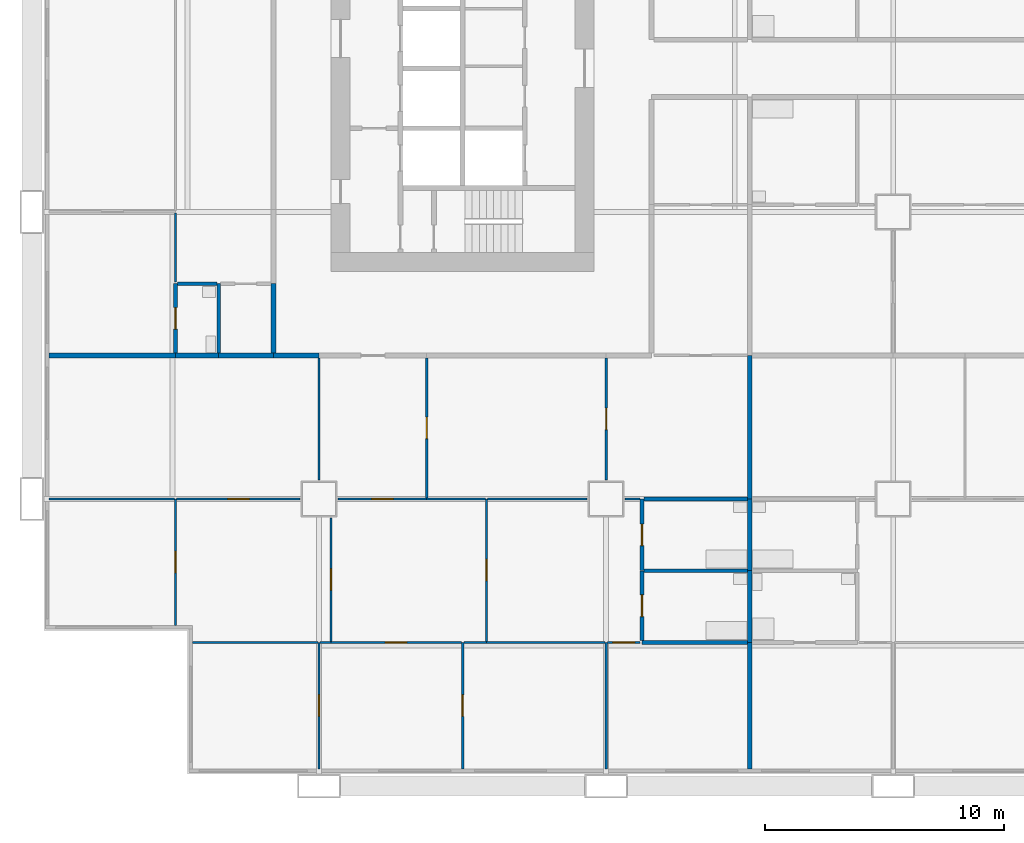
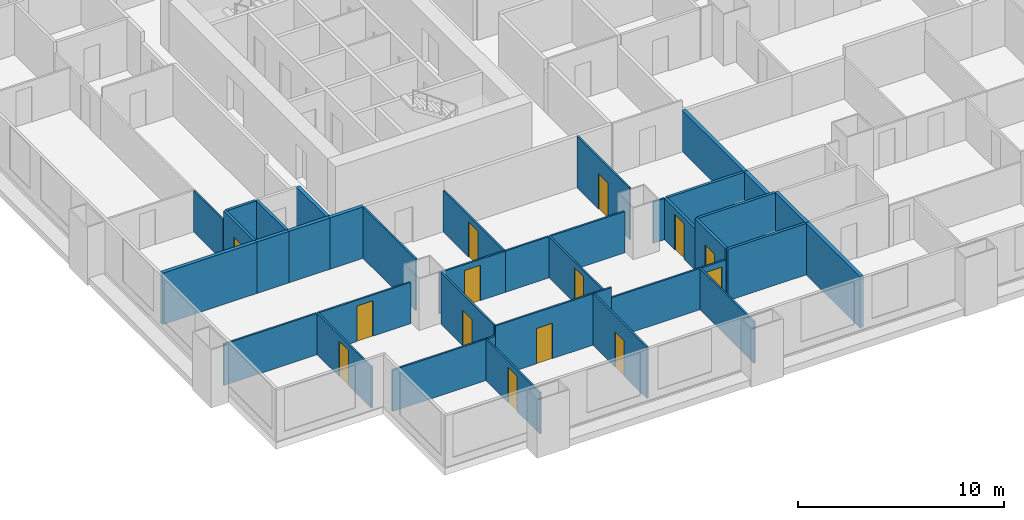
# One storey, part 2 of 13: 39 walls, 14 doors, 14 openings.
"""IFC4 building model written with IfcOpenShell, lengths in metres."""

import ifcopenshell
import ifcopenshell.guid

model = None  # the IFC model being written
_history = None  # IfcOwnerHistory: only IFC2X3 demands one
_inside = {}  # id of a spatial element -> (the spatial element, [elements in it])
_under = {}  # id of a project, library or spatial element -> (it, [spatial elements below it])
_declared = {}  # id of a project -> (the project, [libraries it declares])
_typed = {}  # id of a type object -> (the type object, [elements of that type])
_made_of = {}  # id of a material, layer set ... -> (it, [elements and type objects made of it])


def new_model(schema):
    """Start an empty IFC model of exactly this schema.

    Asked for "IFC4X3", IfcOpenShell would pick the latest addendum, in which some entities
    have other attributes; the version numbers below select the first issue.
    IFC2X3 requires an IfcOwnerHistory on every rooted entity: one is made here for all.
    """
    global model, _history
    if schema == "IFC4X3":
        model = ifcopenshell.file(schema_version=(4, 3, 0, 0))
    else:
        model = ifcopenshell.file(schema=schema)
    _inside.clear()
    _under.clear()
    _declared.clear()
    _typed.clear()
    _made_of.clear()
    _history = None
    if model.schema == "IFC2X3":
        org = make("IfcOrganization", Name="unknown")
        user = make(
            "IfcPersonAndOrganization",
            ThePerson=make("IfcPerson", FamilyName="unknown"),
            TheOrganization=org,
        )
        app = make(
            "IfcApplication",
            ApplicationDeveloper=org,
            Version="unknown",
            ApplicationFullName="unknown",
            ApplicationIdentifier="unknown",
        )
        _history = make(
            "IfcOwnerHistory",
            OwningUser=user,
            OwningApplication=app,
            ChangeAction="ADDED",
            CreationDate=0,
        )
    return model


def make(cls, **values):
    """One entity of the class cls with the attributes given. An attribute that is None is left unset."""
    return model.create_entity(
        cls, **{name: value for name, value in values.items() if value is not None}
    )


def rooted(cls, **values):
    """An entity with a GlobalId (a new one), such as an element, a storey or a relation."""
    return make(cls, GlobalId=ifcopenshell.guid.new(), OwnerHistory=_history, **values)


def si_unit(unit_type, name, prefix=None):
    """IfcSIUnit, for example si_unit("LENGTHUNIT", "METRE", prefix="MILLI")."""
    return make("IfcSIUnit", UnitType=unit_type, Prefix=prefix, Name=name)


def assignment(units):
    """IfcUnitAssignment: the units of a project."""
    return None if units is None else make("IfcUnitAssignment", Units=units)


def point(xyz):
    """IfcCartesianPoint."""
    return None if xyz is None else make("IfcCartesianPoint", Coordinates=xyz)


def direction(xyz):
    """IfcDirection."""
    return None if xyz is None else make("IfcDirection", DirectionRatios=xyz)


def frame(location, z_axis=None, x_axis=None):
    """IfcAxis2Placement3D, a coordinate frame: its origin and axes. An axis left out is left unset."""
    return make(
        "IfcAxis2Placement3D",
        Location=point(location),
        Axis=direction(z_axis),
        RefDirection=direction(x_axis),
    )


def frame_2d(location, x_axis=None):
    """IfcAxis2Placement2D, a coordinate frame in the plane: its origin and x axis."""
    return make(
        "IfcAxis2Placement2D", Location=point(location), RefDirection=direction(x_axis)
    )


def origin():
    """The frame at (0, 0, 0) with its axes left unset."""
    return frame((0.0, 0.0, 0.0))


def place(relative_to, where):
    """IfcLocalPlacement: puts the frame where relative to a parent placement (None: the world)."""
    return make(
        "IfcLocalPlacement", PlacementRelTo=relative_to, RelativePlacement=where
    )


def context(
    kind, dimensions, precision=None, world=None, true_north=None, identifier=None
):
    """IfcGeometricRepresentationContext, for example the 3D "Model" context."""
    return make(
        "IfcGeometricRepresentationContext",
        ContextIdentifier=identifier,
        ContextType=kind,
        CoordinateSpaceDimension=dimensions,
        Precision=precision,
        WorldCoordinateSystem=world,
        TrueNorth=true_north,
    )


def subcontext(parent, identifier, kind, view, scale=None):
    """IfcGeometricRepresentationSubContext, for example "Body" below "Model"."""
    return make(
        "IfcGeometricRepresentationSubContext",
        ContextIdentifier=identifier,
        ContextType=kind,
        ParentContext=parent,
        TargetScale=scale,
        TargetView=view,
    )


def project(units=None, contexts=None):
    """IfcProject with its units and contexts."""
    return rooted(
        "IfcProject",
        Name="project",
        RepresentationContexts=contexts,
        UnitsInContext=assignment(units),
    )


def spatial(cls, under=None, at=None, **own):
    """A site, building, storey or space (cls), placed at a placement, below another one or the project."""
    s = rooted(cls, ObjectPlacement=at, **own)
    if under is not None:
        _under.setdefault(under.id(), (under, []))[1].append(s)
    return s


def profile(cls, at=None, kind="AREA", **sizes):
    """A parametric profile (cls). Its sizes go by their IFC names, for example OverallWidth=200.0."""
    return make(cls, ProfileType=kind, Position=at, **sizes)


def rectangle(**sizes):
    """IfcRectangleProfileDef."""
    return profile("IfcRectangleProfileDef", **sizes)


def extrude(swept, where, along, depth):
    """IfcExtrudedAreaSolid: the profile swept, set in the frame where, extruded along a direction by depth."""
    return make(
        "IfcExtrudedAreaSolid",
        SweptArea=swept,
        Position=where,
        ExtrudedDirection=direction(along),
        Depth=depth,
    )


def shape(context_of_items, identifier, shape_type, items):
    """IfcShapeRepresentation: the items that make up one representation, for example the "Body"."""
    return make(
        "IfcShapeRepresentation",
        ContextOfItems=context_of_items,
        RepresentationIdentifier=identifier,
        RepresentationType=shape_type,
        Items=items,
    )


def material(Name=None, Category=None):
    """IfcMaterial."""
    return make("IfcMaterial", Name=Name, Category=Category)


def layer(
    of_material, thickness, ventilated=None, Name=None, Category=None, Priority=None
):
    """IfcMaterialLayer: one layer of a wall or slab, of a material (None: an air gap)."""
    return make(
        "IfcMaterialLayer",
        Material=of_material,
        LayerThickness=thickness,
        IsVentilated=ventilated,
        Name=Name,
        Category=Category,
        Priority=Priority,
    )


def layer_set(layers, Name=None):
    """IfcMaterialLayerSet."""
    return make("IfcMaterialLayerSet", MaterialLayers=layers, LayerSetName=Name)


def made_of(thing, what):
    """Note that an element or type object is made of a material, layer set ...; save() writes the relation."""
    if what is not None:
        _made_of.setdefault(what.id(), (what, []))[1].append(thing)
    return thing


def type_object(cls, material=None, **own):
    """A type object (cls), such as IfcWallType, which elements share."""
    return made_of(rooted(cls, **own), material)


def element(
    cls,
    number,
    at=None,
    inside=None,
    cuts=None,
    type_object=None,
    material=None,
    context=None,
    identifier="Body",
    shape_type=None,
    held_by="IfcProductDefinitionShape",
    body=None,
    shapes=None,
    **own,
):
    """One element of the class cls, such as IfcWall. Its Tag is "e" and its number.

    at: its placement. inside: the storey or other place that contains it. cuts: it is an
    opening in that element (IfcRelVoidsElement). A single representation is given by context,
    identifier, shape_type and body (its items); several are given by shapes. held_by: the class
    of the entity that holds the representations. save() writes the other relations.
    """
    e = rooted(cls, Tag="e%d" % number, ObjectPlacement=at, **own)
    if body is not None:
        shapes = [shape(context, identifier, shape_type, body)]
    if shapes is not None:
        e.Representation = make(held_by, Representations=shapes)
    if inside is not None:
        _inside.setdefault(inside.id(), (inside, []))[1].append(e)
    if cuts is not None:
        rooted(
            "IfcRelVoidsElement", RelatingBuildingElement=cuts, RelatedOpeningElement=e
        )
    if type_object is not None:
        _typed.setdefault(type_object.id(), (type_object, []))[1].append(e)
    return made_of(e, material)


def fill(opening, filler):
    """IfcRelFillsElement: the door or window that sits in an opening."""
    return rooted(
        "IfcRelFillsElement",
        RelatingOpeningElement=opening,
        RelatedBuildingElement=filler,
    )


def aggregate(whole, parts):
    """IfcRelAggregates: a whole, such as a stair, and the parts it consists of."""
    return rooted("IfcRelAggregates", RelatingObject=whole, RelatedObjects=parts)


def save(model, path):
    """Write the relations noted so far, then the file.

    IfcRelAggregates (storeys below a building ...), IfcRelContainedInSpatialStructure (elements
    in a storey), IfcRelDefinesByType, IfcRelAssociatesMaterial and IfcRelDeclares: one each for
    every whole, place, type object, material and project.
    """
    for whole, parts in _under.values():
        aggregate(whole, parts)
    for where, things in _inside.values():
        rooted(
            "IfcRelContainedInSpatialStructure",
            RelatedElements=things,
            RelatingStructure=where,
        )
    for kind, things in _typed.values():
        rooted("IfcRelDefinesByType", RelatedObjects=things, RelatingType=kind)
    for what, things in _made_of.values():
        rooted("IfcRelAssociatesMaterial", RelatedObjects=things, RelatingMaterial=what)
    for by, libraries in _declared.values():
        rooted("IfcRelDeclares", RelatingContext=by, RelatedDefinitions=libraries)
    model.write(path)


model = new_model("IFC4")

# Units and contexts
model_context = context("Model", 3, precision=1e-05, world=origin(), true_north=direction((0.0, 1.0)))
body_context = subcontext(model_context, "Body", "Model", "MODEL_VIEW")
ifc_project = project(units=[si_unit("LENGTHUNIT", "METRE"), si_unit("AREAUNIT", "SQUARE_METRE"), si_unit("VOLUMEUNIT", "CUBIC_METRE"), si_unit("PLANEANGLEUNIT", "RADIAN"), si_unit("MASSUNIT", "GRAM", prefix="KILO")], contexts=[model_context])

# Site, building, storey
site_placement = place(None, origin())
site = spatial("IfcSite", under=ifc_project, at=site_placement, CompositionType="ELEMENT")
building_placement = place(site_placement, origin())
building = spatial("IfcBuilding", under=site, at=building_placement, Name="Kitamizu Gate Tower and Museum", CompositionType="ELEMENT")
storey_placement = place(building_placement, frame((0.0, 0.0, 47.25)))
storey = spatial("IfcBuildingStorey", under=building, at=storey_placement, Name="L10", CompositionType="ELEMENT", Elevation=47.25)

# Wall, opening, door
ifc_material_1 = material(Name="Gypsum board on galvanised stud")
ifc_layer_1 = layer(ifc_material_1, 0.10009765625)
ifc_layer_set_1 = layer_set([ifc_layer_1], Name="Gypsum board on galvanised stud")
wall_type_1 = type_object("IfcWallType", Name="Partition 100 NOT RATED", PredefinedType="PARTITIONING", material=ifc_layer_set_1)
wall_1_placement = place(storey_placement, frame((12.0, 0.719970703125, 0.0), z_axis=(0.0, 0.0, 1.0), x_axis=(0.0, 1.0, 0.0)))
wall_1 = element("IfcWall", 1, at=wall_1_placement, inside=storey, type_object=wall_type_1, Name="Partition L10-001", PredefinedType="PARTITIONING", context=body_context, shape_type="SweptSolid", body=[
    extrude(rectangle(XDim=5.280029296875, YDim=0.10009765625, at=frame_2d((2.64013671875, 0.0))), origin(), (0.0, 0.0, 1.0), 2.449951171875),
])
opening_1_placement = place(wall_1_placement, frame((2.18994140625, 0.0, 0.0)))
opening_1 = element("IfcOpeningElement", 2, at=opening_1_placement, cuts=wall_1, Name="Opening L10-006", PredefinedType="OPENING", context=body_context, shape_type="SweptSolid", body=[
    extrude(rectangle(XDim=0.89990234375, YDim=2.10009765625, at=frame_2d((0.449951171875, 1.050048828125))), frame((0.0, 0.06005859375, 0.0), z_axis=(0.0, -1.0, 0.0), x_axis=(1.0, 0.0, 0.0)), (0.0, 0.0, 1.0), 0.1201171875),
])
ifc_material_2 = material(Name="Timber door set", Category="wood")
door_type_1 = type_object("IfcDoorType", Name="Room door 900", OperationType="NOTDEFINED", PredefinedType="DOOR", material=ifc_material_2)
door_1_placement = place(opening_1_placement, origin())
door_1 = element("IfcDoor", 3, at=door_1_placement, inside=storey, type_object=door_type_1, Name="Door L10-006", OperationType="SINGLE_SWING_RIGHT", OverallHeight=2.10009765625, OverallWidth=0.89990234375, PredefinedType="DOOR", context=body_context, shape_type="SweptSolid", body=[
    extrude(rectangle(XDim=0.89990234375, YDim=2.10009765625, at=frame_2d((0.449951171875, 1.050048828125))), frame((0.0, 0.02490234375, 0.0), z_axis=(0.0, -1.0, 0.0), x_axis=(1.0, 0.0, 0.0)), (0.0, 0.0, 1.0), 0.050048828125),
])
fill(opening_1, door_1)

# Wall
wall_2_placement = place(storey_placement, frame((11.949951171875, 6.0, 0.0), z_axis=(0.0, 0.0, 1.0), x_axis=(-1.0, 0.0, 0.0)))
element("IfcWall", 4, at=wall_2_placement, inside=storey, type_object=wall_type_1, Name="Partition L10-002", PredefinedType="PARTITIONING", context=body_context, shape_type="SweptSolid", body=[
    extrude(rectangle(XDim=5.22998046875, YDim=0.10009765625, at=frame_2d((2.614990234375, 0.0))), origin(), (0.0, 0.0, 1.0), 2.449951171875),
])

# Wall, opening, door
wall_3_placement = place(storey_placement, frame((18.0, 0.719970703125, 0.0), z_axis=(0.0, 0.0, 1.0), x_axis=(0.0, 1.0, 0.0)))
wall_3 = element("IfcWall", 5, at=wall_3_placement, inside=storey, type_object=wall_type_1, Name="Partition L10-003", PredefinedType="PARTITIONING", context=body_context, shape_type="SweptSolid", body=[
    extrude(rectangle(XDim=5.280029296875, YDim=0.10009765625, at=frame_2d((2.64013671875, 0.0))), origin(), (0.0, 0.0, 1.0), 3.050048828125),
])
opening_2_placement = place(wall_3_placement, frame((2.18994140625, 0.0, 0.0)))
opening_2 = element("IfcOpeningElement", 6, at=opening_2_placement, cuts=wall_3, Name="Opening L10-007", PredefinedType="OPENING", context=body_context, shape_type="SweptSolid", body=[
    extrude(rectangle(XDim=0.89990234375, YDim=2.10009765625, at=frame_2d((0.449951171875, 1.050048828125))), frame((0.0, 0.06005859375, 0.0), z_axis=(0.0, -1.0, 0.0), x_axis=(1.0, 0.0, 0.0)), (0.0, 0.0, 1.0), 0.1201171875),
])
door_2_placement = place(opening_2_placement, origin())
door_2 = element("IfcDoor", 7, at=door_2_placement, inside=storey, type_object=door_type_1, Name="Door L10-007", OperationType="SINGLE_SWING_LEFT", OverallHeight=2.10009765625, OverallWidth=0.89990234375, PredefinedType="DOOR", context=body_context, shape_type="SweptSolid", body=[
    extrude(rectangle(XDim=0.89990234375, YDim=2.10009765625, at=frame_2d((0.449951171875, 1.050048828125))), frame((0.0, 0.02490234375, 0.0), z_axis=(0.0, -1.0, 0.0), x_axis=(1.0, 0.0, 0.0)), (0.0, 0.0, 1.0), 0.050048828125),
])
fill(opening_2, door_2)

# Wall
wall_4_placement = place(storey_placement, frame((12.5, 6.0, 0.0), z_axis=(0.0, 0.0, 1.0), x_axis=(-1.0, 0.0, 0.0)))
element("IfcWall", 8, at=wall_4_placement, inside=storey, type_object=wall_type_1, Name="Partition L10-004", PredefinedType="PARTITIONING", context=body_context, shape_type="SweptSolid", body=[
    extrude(rectangle(XDim=0.449951171875, YDim=0.10009765625, at=frame_2d((0.22509765625, 0.0))), origin(), (0.0, 0.0, 1.0), 2.449951171875),
])

# Wall, opening, door
wall_5_placement = place(storey_placement, frame((17.949951171875, 6.0, 0.0), z_axis=(0.0, 0.0, 1.0), x_axis=(-1.0, 0.0, 0.0)))
wall_5 = element("IfcWall", 9, at=wall_5_placement, inside=storey, type_object=wall_type_1, Name="Partition L10-005", PredefinedType="PARTITIONING", context=body_context, shape_type="SweptSolid", body=[
    extrude(rectangle(XDim=5.449951171875, YDim=0.10009765625, at=frame_2d((2.72509765625, 0.0))), origin(), (0.0, 0.0, 1.0), 3.050048828125),
])
opening_3_placement = place(wall_5_placement, frame((2.27490234375, 0.0, 0.0)))
opening_3 = element("IfcOpeningElement", 10, at=opening_3_placement, cuts=wall_5, Name="Opening L10-003", PredefinedType="OPENING", context=body_context, shape_type="SweptSolid", body=[
    extrude(rectangle(XDim=0.89990234375, YDim=2.10009765625, at=frame_2d((0.449951171875, 1.050048828125))), frame((0.0, 0.06005859375, 0.0), z_axis=(0.0, -1.0, 0.0), x_axis=(1.0, 0.0, 0.0)), (0.0, 0.0, 1.0), 0.1201171875),
])
door_3_placement = place(opening_3_placement, origin())
door_3 = element("IfcDoor", 11, at=door_3_placement, inside=storey, type_object=door_type_1, Name="Door L10-003", OperationType="SINGLE_SWING_LEFT", OverallHeight=2.10009765625, OverallWidth=0.89990234375, PredefinedType="DOOR", context=body_context, shape_type="SweptSolid", body=[
    extrude(rectangle(XDim=0.89990234375, YDim=2.10009765625, at=frame_2d((0.449951171875, 1.050048828125))), frame((0.0, 0.02490234375, 0.0), z_axis=(0.0, -1.0, 0.0), x_axis=(1.0, 0.0, 0.0)), (0.0, 0.0, 1.0), 0.050048828125),
])
fill(opening_3, door_3)

# Walls
wall_6_placement = place(storey_placement, frame((24.0, 0.719970703125, 0.0), z_axis=(0.0, 0.0, 1.0), x_axis=(0.0, 1.0, 0.0)))
element("IfcWall", 12, at=wall_6_placement, inside=storey, type_object=wall_type_1, Name="Partition L10-006", PredefinedType="PARTITIONING", context=body_context, shape_type="SweptSolid", body=[
    extrude(rectangle(XDim=5.280029296875, YDim=0.10009765625, at=frame_2d((2.64013671875, 0.0))), origin(), (0.0, 0.0, 1.0), 2.449951171875),
])
wall_7_placement = place(storey_placement, frame((19.0, 6.0, 0.0), z_axis=(0.0, 0.0, 1.0), x_axis=(-1.0, 0.0, 0.0)))
element("IfcWall", 13, at=wall_7_placement, inside=storey, type_object=wall_type_1, Name="Partition L10-007", PredefinedType="PARTITIONING", context=body_context, shape_type="SweptSolid", body=[
    extrude(rectangle(XDim=0.949951171875, YDim=0.10009765625, at=frame_2d((0.47509765625, 0.0))), origin(), (0.0, 0.0, 1.0), 3.050048828125),
])
wall_8_placement = place(storey_placement, frame((23.949951171875, 6.0, 0.0), z_axis=(0.0, 0.0, 1.0), x_axis=(-1.0, 0.0, 0.0)))
element("IfcWall", 14, at=wall_8_placement, inside=storey, type_object=wall_type_1, Name="Partition L10-008", PredefinedType="PARTITIONING", context=body_context, shape_type="SweptSolid", body=[
    extrude(rectangle(XDim=4.949951171875, YDim=0.10009765625, at=frame_2d((2.47509765625, 0.0))), origin(), (0.0, 0.0, 1.0), 2.449951171875),
])

# Wall, opening, door
wall_9_placement = place(storey_placement, frame((25.425048828125, 6.0, 0.0), z_axis=(0.0, 0.0, 1.0), x_axis=(-1.0, 0.0, 0.0)))
wall_9 = element("IfcWall", 15, at=wall_9_placement, inside=storey, type_object=wall_type_1, Name="Partition L10-009", PredefinedType="PARTITIONING", context=body_context, shape_type="SweptSolid", body=[
    extrude(rectangle(XDim=1.375, YDim=0.10009765625, at=frame_2d((0.6875, 0.0))), origin(), (0.0, 0.0, 1.0), 2.449951171875),
])
opening_4_placement = place(wall_9_placement, frame((0.237548828125, 0.0, 0.0)))
opening_4 = element("IfcOpeningElement", 16, at=opening_4_placement, cuts=wall_9, Name="Opening L10-008", PredefinedType="OPENING", context=body_context, shape_type="SweptSolid", body=[
    extrude(rectangle(XDim=0.89990234375, YDim=2.10009765625, at=frame_2d((0.449951171875, 1.050048828125))), frame((0.0, 0.06005859375, 0.0), z_axis=(0.0, -1.0, 0.0), x_axis=(1.0, 0.0, 0.0)), (0.0, 0.0, 1.0), 0.1201171875),
])
door_4_placement = place(opening_4_placement, origin())
door_4 = element("IfcDoor", 17, at=door_4_placement, inside=storey, type_object=door_type_1, Name="Door L10-008", OperationType="SINGLE_SWING_LEFT", OverallHeight=2.10009765625, OverallWidth=0.89990234375, PredefinedType="DOOR", context=body_context, shape_type="SweptSolid", body=[
    extrude(rectangle(XDim=0.89990234375, YDim=2.10009765625, at=frame_2d((0.449951171875, 1.050048828125))), frame((0.0, 0.02490234375, 0.0), z_axis=(0.0, -1.0, 0.0), x_axis=(1.0, 0.0, 0.0)), (0.0, 0.0, 1.0), 0.050048828125),
])
fill(opening_4, door_4)

wall_10_placement = place(storey_placement, frame((6.0, 6.719970703125, 0.0), z_axis=(0.0, 0.0, 1.0), x_axis=(0.0, 1.0, 0.0)))
wall_10 = element("IfcWall", 18, at=wall_10_placement, inside=storey, type_object=wall_type_1, Name="Partition L10-012", PredefinedType="PARTITIONING", context=body_context, shape_type="SweptSolid", body=[
    extrude(rectangle(XDim=5.280029296875, YDim=0.10009765625, at=frame_2d((2.64013671875, 0.0))), origin(), (0.0, 0.0, 1.0), 2.449951171875),
])
opening_5_placement = place(wall_10_placement, frame((2.18994140625, 0.0, 0.0)))
opening_5 = element("IfcOpeningElement", 19, at=opening_5_placement, cuts=wall_10, Name="Opening L10-009", PredefinedType="OPENING", context=body_context, shape_type="SweptSolid", body=[
    extrude(rectangle(XDim=0.89990234375, YDim=2.10009765625, at=frame_2d((0.449951171875, 1.050048828125))), frame((0.0, 0.06005859375, 0.0), z_axis=(0.0, -1.0, 0.0), x_axis=(1.0, 0.0, 0.0)), (0.0, 0.0, 1.0), 0.1201171875),
])
door_5_placement = place(opening_5_placement, origin())
door_5 = element("IfcDoor", 20, at=door_5_placement, inside=storey, type_object=door_type_1, Name="Door L10-009", OperationType="SINGLE_SWING_RIGHT", OverallHeight=2.10009765625, OverallWidth=0.89990234375, PredefinedType="DOOR", context=body_context, shape_type="SweptSolid", body=[
    extrude(rectangle(XDim=0.89990234375, YDim=2.10009765625, at=frame_2d((0.449951171875, 1.050048828125))), frame((0.0, 0.02490234375, 0.0), z_axis=(0.0, -1.0, 0.0), x_axis=(1.0, 0.0, 0.0)), (0.0, 0.0, 1.0), 0.050048828125),
])
fill(opening_5, door_5)

# Wall
wall_11_placement = place(storey_placement, frame((5.949951171875, 12.0, 0.0), z_axis=(0.0, 0.0, 1.0), x_axis=(-1.0, 0.0, 0.0)))
element("IfcWall", 21, at=wall_11_placement, inside=storey, type_object=wall_type_1, Name="Partition L10-013", PredefinedType="PARTITIONING", context=body_context, shape_type="SweptSolid", body=[
    extrude(rectangle(XDim=5.22998046875, YDim=0.10009765625, at=frame_2d((2.614990234375, 0.0))), origin(), (0.0, 0.0, 1.0), 2.449951171875),
])

# Wall, opening, door
wall_12_placement = place(storey_placement, frame((12.5, 6.050048828125, 0.0), z_axis=(0.0, 0.0, 1.0), x_axis=(0.0, 1.0, 0.0)))
wall_12 = element("IfcWall", 22, at=wall_12_placement, inside=storey, type_object=wall_type_1, Name="Partition L10-014", PredefinedType="PARTITIONING", context=body_context, shape_type="SweptSolid", body=[
    extrude(rectangle(XDim=5.14990234375, YDim=0.10009765625, at=frame_2d((2.574951171875, 0.0))), origin(), (0.0, 0.0, 1.0), 3.050048828125),
])
opening_6_placement = place(wall_12_placement, frame((2.125, 0.0, 0.0)))
opening_6 = element("IfcOpeningElement", 23, at=opening_6_placement, cuts=wall_12, Name="Opening L10-004", PredefinedType="OPENING", context=body_context, shape_type="SweptSolid", body=[
    extrude(rectangle(XDim=0.89990234375, YDim=2.10009765625, at=frame_2d((0.449951171875, 1.050048828125))), frame((0.0, 0.06005859375, 0.0), z_axis=(0.0, -1.0, 0.0), x_axis=(1.0, 0.0, 0.0)), (0.0, 0.0, 1.0), 0.1201171875),
])
door_6_placement = place(opening_6_placement, frame((0.89990234375, 0.0, 0.0), x_axis=(-1.0, 0.0, 0.0)))
door_6 = element("IfcDoor", 24, at=door_6_placement, inside=storey, type_object=door_type_1, Name="Door L10-004", OperationType="SINGLE_SWING_LEFT", OverallHeight=2.10009765625, OverallWidth=0.89990234375, PredefinedType="DOOR", context=body_context, shape_type="SweptSolid", body=[
    extrude(rectangle(XDim=0.89990234375, YDim=2.10009765625, at=frame_2d((0.449951171875, 1.050048828125))), frame((0.0, 0.02490234375, 0.0), z_axis=(0.0, -1.0, 0.0), x_axis=(1.0, 0.0, 0.0)), (0.0, 0.0, 1.0), 0.050048828125),
])
fill(opening_6, door_6)

wall_13_placement = place(storey_placement, frame((11.199951171875, 12.0, 0.0), z_axis=(0.0, 0.0, 1.0), x_axis=(-1.0, 0.0, 0.0)))
wall_13 = element("IfcWall", 25, at=wall_13_placement, inside=storey, type_object=wall_type_1, Name="Partition L10-015", PredefinedType="PARTITIONING", context=body_context, shape_type="SweptSolid", body=[
    extrude(rectangle(XDim=5.14990234375, YDim=0.10009765625, at=frame_2d((2.574951171875, 0.0))), origin(), (0.0, 0.0, 1.0), 2.449951171875),
])
opening_7_placement = place(wall_13_placement, frame((2.125, 0.0, 0.0)))
opening_7 = element("IfcOpeningElement", 26, at=opening_7_placement, cuts=wall_13, Name="Opening L10-012", PredefinedType="OPENING", context=body_context, shape_type="SweptSolid", body=[
    extrude(rectangle(XDim=0.89990234375, YDim=2.10009765625, at=frame_2d((0.449951171875, 1.050048828125))), frame((0.0, 0.06005859375, 0.0), z_axis=(0.0, -1.0, 0.0), x_axis=(1.0, 0.0, 0.0)), (0.0, 0.0, 1.0), 0.1201171875),
])
door_7_placement = place(opening_7_placement, frame((0.89990234375, 0.0, 0.0), x_axis=(-1.0, 0.0, 0.0)))
door_7 = element("IfcDoor", 27, at=door_7_placement, inside=storey, type_object=door_type_1, Name="Door L10-012", OperationType="SINGLE_SWING_RIGHT", OverallHeight=2.10009765625, OverallWidth=0.89990234375, PredefinedType="DOOR", context=body_context, shape_type="SweptSolid", body=[
    extrude(rectangle(XDim=0.89990234375, YDim=2.10009765625, at=frame_2d((0.449951171875, 1.050048828125))), frame((0.0, 0.02490234375, 0.0), z_axis=(0.0, -1.0, 0.0), x_axis=(1.0, 0.0, 0.0)), (0.0, 0.0, 1.0), 0.050048828125),
])
fill(opening_7, door_7)

wall_14_placement = place(storey_placement, frame((19.0, 6.050048828125, 0.0), z_axis=(0.0, 0.0, 1.0), x_axis=(0.0, 1.0, 0.0)))
wall_14 = element("IfcWall", 28, at=wall_14_placement, inside=storey, type_object=wall_type_1, Name="Partition L10-016", PredefinedType="PARTITIONING", context=body_context, shape_type="SweptSolid", body=[
    extrude(rectangle(XDim=5.949951171875, YDim=0.10009765625, at=frame_2d((2.97509765625, 0.0))), origin(), (0.0, 0.0, 1.0), 2.449951171875),
])
opening_8_placement = place(wall_14_placement, frame((2.52490234375, 0.0, 0.0)))
opening_8 = element("IfcOpeningElement", 29, at=opening_8_placement, cuts=wall_14, Name="Opening L10-005", PredefinedType="OPENING", context=body_context, shape_type="SweptSolid", body=[
    extrude(rectangle(XDim=0.89990234375, YDim=2.10009765625, at=frame_2d((0.449951171875, 1.050048828125))), frame((0.0, 0.06005859375, 0.0), z_axis=(0.0, -1.0, 0.0), x_axis=(1.0, 0.0, 0.0)), (0.0, 0.0, 1.0), 0.1201171875),
])
door_8_placement = place(opening_8_placement, frame((0.89990234375, 0.0, 0.0), x_axis=(-1.0, 0.0, 0.0)))
door_8 = element("IfcDoor", 30, at=door_8_placement, inside=storey, type_object=door_type_1, Name="Door L10-005", OperationType="SINGLE_SWING_RIGHT", OverallHeight=2.10009765625, OverallWidth=0.89990234375, PredefinedType="DOOR", context=body_context, shape_type="SweptSolid", body=[
    extrude(rectangle(XDim=0.89990234375, YDim=2.10009765625, at=frame_2d((0.449951171875, 1.050048828125))), frame((0.0, 0.02490234375, 0.0), z_axis=(0.0, -1.0, 0.0), x_axis=(1.0, 0.0, 0.0)), (0.0, 0.0, 1.0), 0.050048828125),
])
fill(opening_8, door_8)

wall_15_placement = place(storey_placement, frame((16.5, 12.0, 0.0), z_axis=(0.0, 0.0, 1.0), x_axis=(-1.0, 0.0, 0.0)))
wall_15 = element("IfcWall", 31, at=wall_15_placement, inside=storey, type_object=wall_type_1, Name="Partition L10-017", PredefinedType="PARTITIONING", context=body_context, shape_type="SweptSolid", body=[
    extrude(rectangle(XDim=3.699951171875, YDim=0.10009765625, at=frame_2d((1.85009765625, 0.0))), origin(), (0.0, 0.0, 1.0), 2.449951171875),
])
opening_9_placement = place(wall_15_placement, frame((1.39990234375, 0.0, 0.0)))
opening_9 = element("IfcOpeningElement", 32, at=opening_9_placement, cuts=wall_15, Name="Opening L10-002", PredefinedType="OPENING", context=body_context, shape_type="SweptSolid", body=[
    extrude(rectangle(XDim=0.89990234375, YDim=2.10009765625, at=frame_2d((0.449951171875, 1.050048828125))), frame((0.0, 0.06005859375, 0.0), z_axis=(0.0, -1.0, 0.0), x_axis=(1.0, 0.0, 0.0)), (0.0, 0.0, 1.0), 0.1201171875),
])
door_9_placement = place(opening_9_placement, origin())
door_9 = element("IfcDoor", 33, at=door_9_placement, inside=storey, type_object=door_type_1, Name="Door L10-002", OperationType="SINGLE_SWING_LEFT", OverallHeight=2.10009765625, OverallWidth=0.89990234375, PredefinedType="DOOR", context=body_context, shape_type="SweptSolid", body=[
    extrude(rectangle(XDim=0.89990234375, YDim=2.10009765625, at=frame_2d((0.449951171875, 1.050048828125))), frame((0.0, 0.02490234375, 0.0), z_axis=(0.0, -1.0, 0.0), x_axis=(1.0, 0.0, 0.0)), (0.0, 0.0, 1.0), 0.050048828125),
])
fill(opening_9, door_9)

# Walls
wall_16_placement = place(storey_placement, frame((18.949951171875, 12.0, 0.0), z_axis=(0.0, 0.0, 1.0), x_axis=(-1.0, 0.0, 0.0)))
element("IfcWall", 34, at=wall_16_placement, inside=storey, type_object=wall_type_1, Name="Partition L10-018", PredefinedType="PARTITIONING", context=body_context, shape_type="SweptSolid", body=[
    extrude(rectangle(XDim=2.449951171875, YDim=0.10009765625, at=frame_2d((1.22509765625, 0.0))), origin(), (0.0, 0.0, 1.0), 2.449951171875),
])
wall_17_placement = place(storey_placement, frame((23.199951171875, 12.0, 0.0), z_axis=(0.0, 0.0, 1.0), x_axis=(-1.0, 0.0, 0.0)))
element("IfcWall", 35, at=wall_17_placement, inside=storey, type_object=wall_type_1, Name="Partition L10-021", PredefinedType="PARTITIONING", context=body_context, shape_type="SweptSolid", body=[
    extrude(rectangle(XDim=4.14990234375, YDim=0.10009765625, at=frame_2d((2.074951171875, 0.0))), origin(), (0.0, 0.0, 1.0), 2.449951171875),
])
wall_18_placement = place(storey_placement, frame((25.425048828125, 12.0, 0.0), z_axis=(0.0, 0.0, 1.0), x_axis=(-1.0, 0.0, 0.0)))
element("IfcWall", 36, at=wall_18_placement, inside=storey, type_object=wall_type_1, Name="Partition L10-022", PredefinedType="PARTITIONING", context=body_context, shape_type="SweptSolid", body=[
    extrude(rectangle(XDim=0.625, YDim=0.10009765625, at=frame_2d((0.3125, 0.0))), origin(), (0.0, 0.0, 1.0), 2.449951171875),
])
wall_19_placement = place(storey_placement, frame((12.0, 12.800048828125, 0.0), z_axis=(0.0, 0.0, 1.0), x_axis=(0.0, 1.0, 0.0)))
element("IfcWall", 37, at=wall_19_placement, inside=storey, type_object=wall_type_1, Name="Partition L10-027", PredefinedType="PARTITIONING", context=body_context, shape_type="SweptSolid", body=[
    extrude(rectangle(XDim=5.099853515625, YDim=0.10009765625, at=frame_2d((2.5498046875, 0.0))), origin(), (0.0, 0.0, 1.0), 3.050048828125),
])

# Wall, opening, door
wall_20_placement = place(storey_placement, frame((16.5, 12.050048828125, 0.0), z_axis=(0.0, 0.0, 1.0), x_axis=(0.0, 1.0, 0.0)))
wall_20 = element("IfcWall", 38, at=wall_20_placement, inside=storey, type_object=wall_type_1, Name="Partition L10-032", PredefinedType="PARTITIONING", context=body_context, shape_type="SweptSolid", body=[
    extrude(rectangle(XDim=5.849853515625, YDim=0.10009765625, at=frame_2d((2.9248046875, 0.0))), origin(), (0.0, 0.0, 1.0), 2.449951171875),
])
opening_10_placement = place(wall_20_placement, frame((2.47509765625, 0.0, 0.0)))
opening_10 = element("IfcOpeningElement", 39, at=opening_10_placement, cuts=wall_20, Name="Opening L10-013", PredefinedType="OPENING", context=body_context, shape_type="SweptSolid", body=[
    extrude(rectangle(XDim=0.89990234375, YDim=2.10009765625, at=frame_2d((0.449951171875, 1.050048828125))), frame((0.0, 0.06005859375, 0.0), z_axis=(0.0, -1.0, 0.0), x_axis=(1.0, 0.0, 0.0)), (0.0, 0.0, 1.0), 0.1201171875),
])
door_10_placement = place(opening_10_placement, frame((0.89990234375, 0.0, 0.0), x_axis=(-1.0, 0.0, 0.0)))
door_10 = element("IfcDoor", 40, at=door_10_placement, inside=storey, type_object=door_type_1, Name="Door L10-013", OperationType="SINGLE_SWING_LEFT", OverallHeight=2.10009765625, OverallWidth=0.89990234375, PredefinedType="DOOR", context=body_context, shape_type="SweptSolid", body=[
    extrude(rectangle(XDim=0.89990234375, YDim=2.10009765625, at=frame_2d((0.449951171875, 1.050048828125))), frame((0.0, 0.02490234375, 0.0), z_axis=(0.0, -1.0, 0.0), x_axis=(1.0, 0.0, 0.0)), (0.0, 0.0, 1.0), 0.050048828125),
])
fill(opening_10, door_10)

wall_21_placement = place(storey_placement, frame((24.0, 12.800048828125, 0.0), z_axis=(0.0, 0.0, 1.0), x_axis=(0.0, 1.0, 0.0)))
wall_21 = element("IfcWall", 41, at=wall_21_placement, inside=storey, type_object=wall_type_1, Name="Partition L10-034", PredefinedType="PARTITIONING", context=body_context, shape_type="SweptSolid", body=[
    extrude(rectangle(XDim=5.099853515625, YDim=0.10009765625, at=frame_2d((2.5498046875, 0.0))), origin(), (0.0, 0.0, 1.0), 3.050048828125),
])
opening_11_placement = place(wall_21_placement, frame((2.10009765625, 0.0, 0.0)))
opening_11 = element("IfcOpeningElement", 42, at=opening_11_placement, cuts=wall_21, Name="Opening L10-014", PredefinedType="OPENING", context=body_context, shape_type="SweptSolid", body=[
    extrude(rectangle(XDim=0.89990234375, YDim=2.10009765625, at=frame_2d((0.449951171875, 1.050048828125))), frame((0.0, 0.06005859375, 0.0), z_axis=(0.0, -1.0, 0.0), x_axis=(1.0, 0.0, 0.0)), (0.0, 0.0, 1.0), 0.1201171875),
])
door_11_placement = place(opening_11_placement, frame((0.89990234375, 0.0, 0.0), x_axis=(-1.0, 0.0, 0.0)))
door_11 = element("IfcDoor", 43, at=door_11_placement, inside=storey, type_object=door_type_1, Name="Door L10-014", OperationType="SINGLE_SWING_RIGHT", OverallHeight=2.10009765625, OverallWidth=0.89990234375, PredefinedType="DOOR", context=body_context, shape_type="SweptSolid", body=[
    extrude(rectangle(XDim=0.89990234375, YDim=2.10009765625, at=frame_2d((0.449951171875, 1.050048828125))), frame((0.0, 0.02490234375, 0.0), z_axis=(0.0, -1.0, 0.0), x_axis=(1.0, 0.0, 0.0)), (0.0, 0.0, 1.0), 0.050048828125),
])
fill(opening_11, door_11)

# Walls
wall_22_placement = place(storey_placement, frame((6.0, 21.074951171875, 0.0), z_axis=(0.0, 0.0, 1.0), x_axis=(0.0, 1.0, 0.0)))
element("IfcWall", 44, at=wall_22_placement, inside=storey, type_object=wall_type_1, Name="Partition L10-136", PredefinedType="PARTITIONING", context=body_context, shape_type="SweptSolid", body=[
    extrude(rectangle(XDim=2.875, YDim=0.10009765625, at=frame_2d((1.4375, 0.0))), origin(), (0.0, 0.0, 1.0), 2.449951171875),
])
ifc_material_3 = material(Name="Gypsum board on galvanised stud")
ifc_layer_2 = layer(ifc_material_3, 0.14990234375)
ifc_layer_set_2 = layer_set([ifc_layer_2], Name="Gypsum board on galvanised stud")
wall_type_2 = type_object("IfcWallType", Name="Partition 150", PredefinedType="PARTITIONING", material=ifc_layer_set_2)
wall_23_placement = place(storey_placement, frame((29.89990234375, 6.0, 0.0), z_axis=(0.0, 0.0, 1.0), x_axis=(-1.0, 0.0, 0.0)))
element("IfcWall", 45, at=wall_23_placement, inside=storey, type_object=wall_type_2, Name="Partition L10-010", PredefinedType="PARTITIONING", context=body_context, shape_type="SweptSolid", body=[
    extrude(rectangle(XDim=4.39990234375, YDim=0.14990234375, at=frame_2d((2.199951171875, 0.0))), origin(), (0.0, 0.0, 1.0), 3.050048828125),
])

# Wall, opening, door
wall_24_placement = place(storey_placement, frame((25.5, 6.074951171875, 0.0), z_axis=(0.0, 0.0, 1.0), x_axis=(0.0, 1.0, 0.0)))
wall_24 = element("IfcWall", 46, at=wall_24_placement, inside=storey, type_object=wall_type_2, Name="Partition L10-019", PredefinedType="PARTITIONING", context=body_context, shape_type="SweptSolid", body=[
    extrude(rectangle(XDim=2.925048828125, YDim=0.14990234375, at=frame_2d((1.46240234375, 0.0))), origin(), (0.0, 0.0, 1.0), 3.050048828125),
])
opening_12_placement = place(wall_24_placement, frame((1.012451171875, 0.0, 0.0)))
opening_12 = element("IfcOpeningElement", 47, at=opening_12_placement, cuts=wall_24, Name="Opening L10-010", PredefinedType="OPENING", context=body_context, shape_type="SweptSolid", body=[
    extrude(rectangle(XDim=0.89990234375, YDim=2.10009765625, at=frame_2d((0.449951171875, 1.050048828125))), frame((0.0, 0.0849609375, 0.0), z_axis=(0.0, -1.0, 0.0), x_axis=(1.0, 0.0, 0.0)), (0.0, 0.0, 1.0), 0.169921875),
])
ifc_material_4 = material(Name="Timber door set", Category="wood")
door_type_2 = type_object("IfcDoorType", Name="Bathroom door 900", OperationType="NOTDEFINED", PredefinedType="DOOR", material=ifc_material_4)
door_12_placement = place(opening_12_placement, frame((0.89990234375, 0.0, 0.0), x_axis=(-1.0, 0.0, 0.0)))
door_12 = element("IfcDoor", 48, at=door_12_placement, inside=storey, type_object=door_type_2, Name="Bathroom door L10-010", OperationType="SINGLE_SWING_RIGHT", OverallHeight=2.10009765625, OverallWidth=0.89990234375, PredefinedType="DOOR", context=body_context, shape_type="SweptSolid", body=[
    extrude(rectangle(XDim=0.89990234375, YDim=2.10009765625, at=frame_2d((0.449951171875, 1.050048828125))), frame((0.0, 0.02490234375, 0.0), z_axis=(0.0, -1.0, 0.0), x_axis=(1.0, 0.0, 0.0)), (0.0, 0.0, 1.0), 0.050048828125),
])
fill(opening_12, door_12)

wall_25_placement = place(storey_placement, frame((25.5, 9.0, 0.0), z_axis=(0.0, 0.0, 1.0), x_axis=(0.0, 1.0, 0.0)))
wall_25 = element("IfcWall", 49, at=wall_25_placement, inside=storey, type_object=wall_type_2, Name="Partition L10-020", PredefinedType="PARTITIONING", context=body_context, shape_type="SweptSolid", body=[
    extrude(rectangle(XDim=3.0, YDim=0.14990234375, at=frame_2d((1.5, 0.0))), origin(), (0.0, 0.0, 1.0), 2.449951171875),
])
opening_13_placement = place(wall_25_placement, frame((1.050048828125, 0.0, 0.0)))
opening_13 = element("IfcOpeningElement", 50, at=opening_13_placement, cuts=wall_25, Name="Opening L10-011", PredefinedType="OPENING", context=body_context, shape_type="SweptSolid", body=[
    extrude(rectangle(XDim=0.89990234375, YDim=2.10009765625, at=frame_2d((0.449951171875, 1.050048828125))), frame((0.0, 0.0849609375, 0.0), z_axis=(0.0, -1.0, 0.0), x_axis=(1.0, 0.0, 0.0)), (0.0, 0.0, 1.0), 0.169921875),
])
door_13_placement = place(opening_13_placement, frame((0.89990234375, 0.0, 0.0), x_axis=(-1.0, 0.0, 0.0)))
door_13 = element("IfcDoor", 51, at=door_13_placement, inside=storey, type_object=door_type_2, Name="Bathroom door L10-011", OperationType="SINGLE_SWING_LEFT", OverallHeight=2.10009765625, OverallWidth=0.89990234375, PredefinedType="DOOR", context=body_context, shape_type="SweptSolid", body=[
    extrude(rectangle(XDim=0.89990234375, YDim=2.10009765625, at=frame_2d((0.449951171875, 1.050048828125))), frame((0.0, 0.02490234375, 0.0), z_axis=(0.0, -1.0, 0.0), x_axis=(1.0, 0.0, 0.0)), (0.0, 0.0, 1.0), 0.050048828125),
])
fill(opening_13, door_13)

# Walls
wall_26_placement = place(storey_placement, frame((29.89990234375, 9.0, 0.0), z_axis=(0.0, 0.0, 1.0), x_axis=(-1.0, 0.0, 0.0)))
element("IfcWall", 52, at=wall_26_placement, inside=storey, type_object=wall_type_2, Name="Partition L10-023", PredefinedType="PARTITIONING", context=body_context, shape_type="SweptSolid", body=[
    extrude(rectangle(XDim=4.324951171875, YDim=0.14990234375, at=frame_2d((2.16259765625, 0.0))), origin(), (0.0, 0.0, 1.0), 3.050048828125),
])
wall_27_placement = place(storey_placement, frame((29.89990234375, 12.0, 0.0), z_axis=(0.0, 0.0, 1.0), x_axis=(-1.0, 0.0, 0.0)))
element("IfcWall", 53, at=wall_27_placement, inside=storey, type_object=wall_type_2, Name="Partition L10-025", PredefinedType="PARTITIONING", context=body_context, shape_type="SweptSolid", body=[
    extrude(rectangle(XDim=4.324951171875, YDim=0.14990234375, at=frame_2d((2.16259765625, 0.0))), origin(), (0.0, 0.0, 1.0), 2.449951171875),
])

# Wall, opening, door
wall_28_placement = place(storey_placement, frame((6.0, 18.10009765625, 0.0), z_axis=(0.0, 0.0, 1.0), x_axis=(0.0, 1.0, 0.0)))
wall_28 = element("IfcWall", 54, at=wall_28_placement, inside=storey, type_object=wall_type_2, Name="Partition L10-135", PredefinedType="PARTITIONING", context=body_context, shape_type="SweptSolid", body=[
    extrude(rectangle(XDim=2.89990234375, YDim=0.14990234375, at=frame_2d((1.449951171875, 0.0))), origin(), (0.0, 0.0, 1.0), 3.050048828125),
])
opening_14_placement = place(wall_28_placement, frame((1.0, 0.0, 0.0)))
opening_14 = element("IfcOpeningElement", 55, at=opening_14_placement, cuts=wall_28, Name="Opening L10-052", PredefinedType="OPENING", context=body_context, shape_type="SweptSolid", body=[
    extrude(rectangle(XDim=0.89990234375, YDim=2.10009765625, at=frame_2d((0.449951171875, 1.050048828125))), frame((0.0, 0.0849609375, 0.0), z_axis=(0.0, -1.0, 0.0), x_axis=(1.0, 0.0, 0.0)), (0.0, 0.0, 1.0), 0.169921875),
])
door_14_placement = place(opening_14_placement, frame((0.89990234375, 0.0, 0.0), x_axis=(-1.0, 0.0, 0.0)))
door_14 = element("IfcDoor", 56, at=door_14_placement, inside=storey, type_object=door_type_2, Name="Bathroom door L10-052", OperationType="SINGLE_SWING_LEFT", OverallHeight=2.10009765625, OverallWidth=0.89990234375, PredefinedType="DOOR", context=body_context, shape_type="SweptSolid", body=[
    extrude(rectangle(XDim=0.89990234375, YDim=2.10009765625, at=frame_2d((0.449951171875, 1.050048828125))), frame((0.0, 0.02490234375, 0.0), z_axis=(0.0, -1.0, 0.0), x_axis=(1.0, 0.0, 0.0)), (0.0, 0.0, 1.0), 0.050048828125),
])
fill(opening_14, door_14)

# Walls
wall_29_placement = place(storey_placement, frame((7.800048828125, 18.10009765625, 0.0), z_axis=(0.0, 0.0, 1.0), x_axis=(0.0, 1.0, 0.0)))
element("IfcWall", 57, at=wall_29_placement, inside=storey, type_object=wall_type_2, Name="Partition L10-142", PredefinedType="PARTITIONING", context=body_context, shape_type="SweptSolid", body=[
    extrude(rectangle(XDim=2.89990234375, YDim=0.14990234375, at=frame_2d((1.449951171875, 0.0))), origin(), (0.0, 0.0, 1.0), 3.050048828125),
])
wall_30_placement = place(storey_placement, frame((7.72509765625, 21.0, 0.0), z_axis=(0.0, 0.0, 1.0), x_axis=(-1.0, 0.0, 0.0)))
element("IfcWall", 58, at=wall_30_placement, inside=storey, type_object=wall_type_2, Name="Partition L10-143", PredefinedType="PARTITIONING", context=body_context, shape_type="SweptSolid", body=[
    extrude(rectangle(XDim=1.650146484375, YDim=0.14990234375, at=frame_2d((0.8251953125, 0.0))), origin(), (0.0, 0.0, 1.0), 3.050048828125),
])
ifc_material_5 = material(Name="Gypsum board on galvanised stud")
ifc_layer_3 = layer(ifc_material_5, 0.199951171875)
ifc_layer_set_3 = layer_set([ifc_layer_3], Name="Gypsum board on galvanised stud")
wall_type_3 = type_object("IfcWallType", Name="Partition 200", PredefinedType="PARTITIONING", material=ifc_layer_set_3)
wall_31_placement = place(storey_placement, frame((30.0, 0.719970703125, 0.0), z_axis=(0.0, 0.0, 1.0), x_axis=(0.0, 1.0, 0.0)))
element("IfcWall", 59, at=wall_31_placement, inside=storey, type_object=wall_type_3, Name="Partition L10-011", PredefinedType="PARTITIONING", context=body_context, shape_type="SweptSolid", body=[
    extrude(rectangle(XDim=5.280029296875, YDim=0.199951171875, at=frame_2d((2.64013671875, 0.0))), origin(), (0.0, 0.0, 1.0), 3.050048828125),
])
wall_32_placement = place(storey_placement, frame((30.0, 6.0, 0.0), z_axis=(0.0, 0.0, 1.0), x_axis=(0.0, 1.0, 0.0)))
element("IfcWall", 60, at=wall_32_placement, inside=storey, type_object=wall_type_3, Name="Partition L10-024", PredefinedType="PARTITIONING", context=body_context, shape_type="SweptSolid", body=[
    extrude(rectangle(XDim=3.0, YDim=0.199951171875, at=frame_2d((1.5, 0.0))), origin(), (0.0, 0.0, 1.0), 3.050048828125),
])
wall_33_placement = place(storey_placement, frame((30.0, 9.0, 0.0), z_axis=(0.0, 0.0, 1.0), x_axis=(0.0, 1.0, 0.0)))
element("IfcWall", 61, at=wall_33_placement, inside=storey, type_object=wall_type_3, Name="Partition L10-026", PredefinedType="PARTITIONING", context=body_context, shape_type="SweptSolid", body=[
    extrude(rectangle(XDim=3.0, YDim=0.199951171875, at=frame_2d((1.5, 0.0))), origin(), (0.0, 0.0, 1.0), 2.449951171875),
])
wall_34_placement = place(storey_placement, frame((6.0, 18.0, 0.0), z_axis=(0.0, 0.0, 1.0), x_axis=(-1.0, 0.0, 0.0)))
element("IfcWall", 62, at=wall_34_placement, inside=storey, type_object=wall_type_3, Name="Partition L10-028", PredefinedType="PARTITIONING", context=body_context, shape_type="SweptSolid", body=[
    extrude(rectangle(XDim=5.280029296875, YDim=0.199951171875, at=frame_2d((2.64013671875, 0.0))), origin(), (0.0, 0.0, 1.0), 3.050048828125),
])
wall_35_placement = place(storey_placement, frame((7.800048828125, 18.0, 0.0), z_axis=(0.0, 0.0, 1.0), x_axis=(-1.0, 0.0, 0.0)))
element("IfcWall", 63, at=wall_35_placement, inside=storey, type_object=wall_type_3, Name="Partition L10-029", PredefinedType="PARTITIONING", context=body_context, shape_type="SweptSolid", body=[
    extrude(rectangle(XDim=1.800048828125, YDim=0.199951171875, at=frame_2d((0.89990234375, 0.0))), origin(), (0.0, 0.0, 1.0), 3.050048828125),
])
wall_36_placement = place(storey_placement, frame((10.10009765625, 18.0, 0.0), z_axis=(0.0, 0.0, 1.0), x_axis=(-1.0, 0.0, 0.0)))
element("IfcWall", 64, at=wall_36_placement, inside=storey, type_object=wall_type_3, Name="Partition L10-030", PredefinedType="PARTITIONING", context=body_context, shape_type="SweptSolid", body=[
    extrude(rectangle(XDim=2.300048828125, YDim=0.199951171875, at=frame_2d((1.14990234375, 0.0))), origin(), (0.0, 0.0, 1.0), 3.050048828125),
])
wall_37_placement = place(storey_placement, frame((12.0, 18.0, 0.0), z_axis=(0.0, 0.0, 1.0), x_axis=(-1.0, 0.0, 0.0)))
element("IfcWall", 65, at=wall_37_placement, inside=storey, type_object=wall_type_3, Name="Partition L10-031", PredefinedType="PARTITIONING", context=body_context, shape_type="SweptSolid", body=[
    extrude(rectangle(XDim=1.89990234375, YDim=0.199951171875, at=frame_2d((0.949951171875, 0.0))), origin(), (0.0, 0.0, 1.0), 3.050048828125),
])
wall_38_placement = place(storey_placement, frame((30.0, 12.0, 0.0), z_axis=(0.0, 0.0, 1.0), x_axis=(0.0, 1.0, 0.0)))
element("IfcWall", 66, at=wall_38_placement, inside=storey, type_object=wall_type_3, Name="Partition L10-037", PredefinedType="PARTITIONING", context=body_context, shape_type="SweptSolid", body=[
    extrude(rectangle(XDim=6.0, YDim=0.199951171875, at=frame_2d((3.0, 0.0))), origin(), (0.0, 0.0, 1.0), 2.449951171875),
])
wall_39_placement = place(storey_placement, frame((10.10009765625, 18.10009765625, 0.0), z_axis=(0.0, 0.0, 1.0), x_axis=(0.0, 1.0, 0.0)))
element("IfcWall", 67, at=wall_39_placement, inside=storey, type_object=wall_type_3, Name="Partition L10-145", PredefinedType="PARTITIONING", context=body_context, shape_type="SweptSolid", body=[
    extrude(rectangle(XDim=2.89990234375, YDim=0.199951171875, at=frame_2d((1.449951171875, 0.0))), origin(), (0.0, 0.0, 1.0), 3.050048828125),
])

save(model, "model.ifc")
